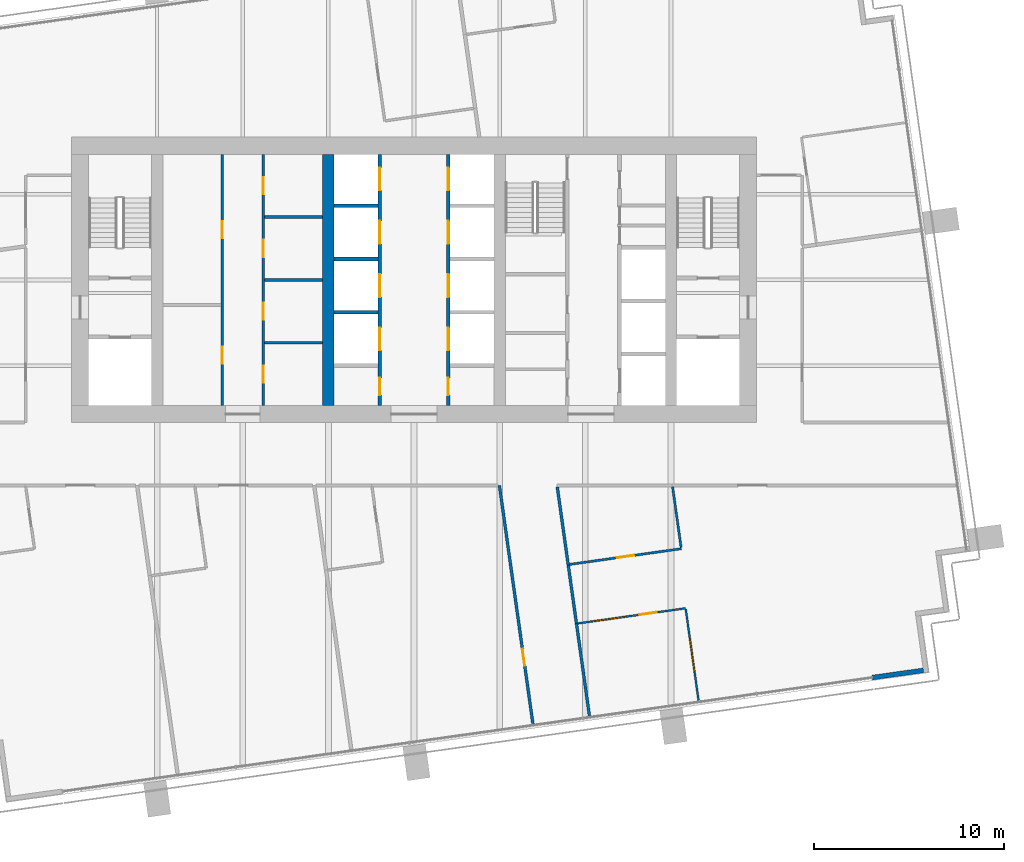
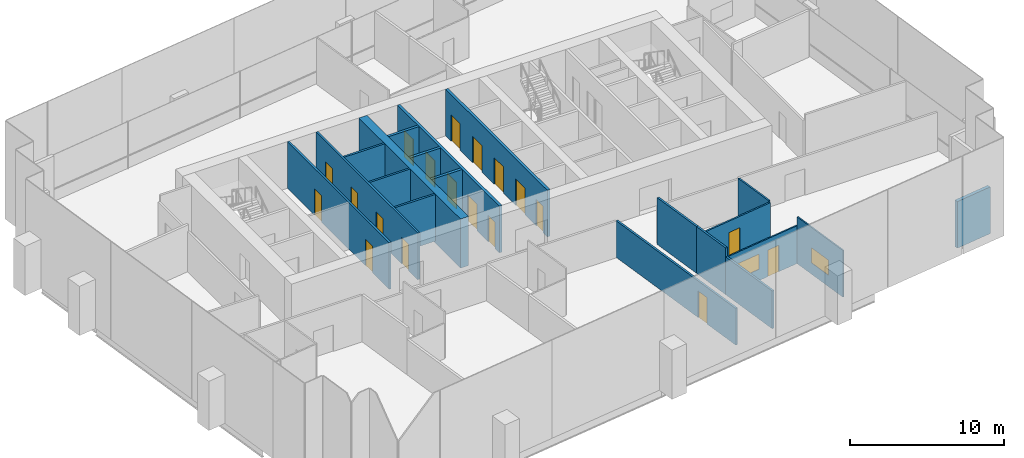
# One storey, part 10 of 17: 20 walls, 19 doors, 2 windows, 21 openings.
"""IFC4 building model written with IfcOpenShell, lengths in metres."""

from ifc_helpers import new_model, si_unit, direction, frame, frame_2d, origin, place, context, subcontext, project, spatial, rectangle, extrude, material, layer, layer_set, type_object, element, fill, save


model = new_model("IFC4")

# Units and contexts
model_context = context("Model", 3, precision=1e-05, world=origin(), true_north=direction((0.0, 1.0)))
body_context = subcontext(model_context, "Body", "Model", "MODEL_VIEW")
ifc_project = project(units=[si_unit("LENGTHUNIT", "METRE"), si_unit("AREAUNIT", "SQUARE_METRE"), si_unit("VOLUMEUNIT", "CUBIC_METRE"), si_unit("PLANEANGLEUNIT", "RADIAN"), si_unit("MASSUNIT", "GRAM", prefix="KILO")], contexts=[model_context])

# Site, building, storey
site_placement = place(None, origin())
site = spatial("IfcSite", under=ifc_project, at=site_placement, CompositionType="ELEMENT")
building_placement = place(site_placement, origin())
building = spatial("IfcBuilding", under=site, at=building_placement, Name="Rattan Terrace Tower", CompositionType="ELEMENT")
storey_placement = place(building_placement, frame((0.0, 0.0, 191.89990234375)))
storey = spatial("IfcBuildingStorey", under=building, at=storey_placement, Name="L44", CompositionType="ELEMENT", Elevation=191.89990234375)

# Wall, openings, doors
ifc_material_1 = material(Name="Gypsum board partition")
ifc_layer_1 = layer(ifc_material_1, 0.14990234375)
ifc_layer_set_1 = layer_set([ifc_layer_1], Name="Core partition 150")
wall_type_1 = type_object("IfcWallType", Name="Core partition 150", PredefinedType="PARTITIONING", material=ifc_layer_set_1)
wall_1_placement = place(storey_placement, frame((-10.074951171875, -6.60009765625, 0.0), z_axis=(0.0, 0.0, 1.0), x_axis=(0.0, 1.0, 0.0)))
wall_1 = element("IfcWall", 1, at=wall_1_placement, inside=storey, type_object=wall_type_1, Name="Core room wall", PredefinedType="PARTITIONING", context=body_context, shape_type="SweptSolid", body=[
    extrude(rectangle(XDim=13.2001953125, YDim=0.14990234375, at=frame_2d((6.60009765625, 0.0))), origin(), (0.0, 0.0, 1.0), 3.7001953125),
])
opening_1_placement = place(wall_1_placement, frame((2.18994140625, 0.0, 0.0)))
opening_1 = element("IfcOpeningElement", 2, at=opening_1_placement, cuts=wall_1, Name="Opening L44-D005", PredefinedType="OPENING", context=body_context, shape_type="SweptSolid", body=[
    extrude(rectangle(XDim=0.89990234375, YDim=2.10009765625, at=frame_2d((0.449951171875, 1.050048828125))), frame((0.0, 0.08544921875, 0.0), z_axis=(0.0, -1.0, 0.0), x_axis=(1.0, 0.0, 0.0)), (0.0, 0.0, 1.0), 0.1708984375),
])
opening_2_placement = place(wall_1_placement, frame((8.7900390625, 0.0, 0.0)))
opening_2 = element("IfcOpeningElement", 3, at=opening_2_placement, cuts=wall_1, Name="Opening L44-D006", PredefinedType="OPENING", context=body_context, shape_type="SweptSolid", body=[
    extrude(rectangle(XDim=0.89990234375, YDim=2.10009765625, at=frame_2d((0.449951171875, 1.050048828125))), frame((0.0, 0.08544921875, 0.0), z_axis=(0.0, -1.0, 0.0), x_axis=(1.0, 0.0, 0.0)), (0.0, 0.0, 1.0), 0.1708984375),
])
ifc_material_2 = material(Name="Hollow-metal fire door leaf")
door_type_1 = type_object("IfcDoorType", Name="Core service room door 900", OperationType="NOTDEFINED", PredefinedType="DOOR", material=ifc_material_2)
door_1_placement = place(opening_1_placement, origin())
door_1 = element("IfcDoor", 4, at=door_1_placement, inside=storey, type_object=door_type_1, Name="Door L44-D005", OperationType="SINGLE_SWING_LEFT", OverallHeight=2.10009765625, OverallWidth=0.89990234375, PredefinedType="DOOR", context=body_context, shape_type="SweptSolid", body=[
    extrude(rectangle(XDim=0.89990234375, YDim=2.10009765625, at=frame_2d((0.449951171875, 1.050048828125))), frame((0.0, 0.02490234375, 0.0), z_axis=(0.0, -1.0, 0.0), x_axis=(1.0, 0.0, 0.0)), (0.0, 0.0, 1.0), 0.050048828125),
])
fill(opening_1, door_1)
door_2_placement = place(opening_2_placement, origin())
door_2 = element("IfcDoor", 5, at=door_2_placement, inside=storey, type_object=door_type_1, Name="Door L44-D006", OperationType="SINGLE_SWING_RIGHT", OverallHeight=2.10009765625, OverallWidth=0.89990234375, PredefinedType="DOOR", context=body_context, shape_type="SweptSolid", body=[
    extrude(rectangle(XDim=0.89990234375, YDim=2.10009765625, at=frame_2d((0.449951171875, 1.050048828125))), frame((0.0, 0.02490234375, 0.0), z_axis=(0.0, -1.0, 0.0), x_axis=(1.0, 0.0, 0.0)), (0.0, 0.0, 1.0), 0.050048828125),
])
fill(opening_2, door_2)

wall_2_placement = place(storey_placement, frame((-7.925048828125, -6.60009765625, 0.0), z_axis=(0.0, 0.0, 1.0), x_axis=(0.0, 1.0, 0.0)))
wall_2 = element("IfcWall", 6, at=wall_2_placement, inside=storey, type_object=wall_type_1, Name="Core room wall", PredefinedType="PARTITIONING", context=body_context, shape_type="SweptSolid", body=[
    extrude(rectangle(XDim=13.2001953125, YDim=0.14990234375, at=frame_2d((6.60009765625, 0.0))), origin(), (0.0, 0.0, 1.0), 3.7001953125),
])
opening_3_placement = place(wall_2_placement, frame((1.199951171875, 0.0, 0.0)))
opening_3 = element("IfcOpeningElement", 7, at=opening_3_placement, cuts=wall_2, Name="Opening L44-D007", PredefinedType="OPENING", context=body_context, shape_type="SweptSolid", body=[
    extrude(rectangle(XDim=0.89990234375, YDim=2.10009765625, at=frame_2d((0.449951171875, 1.050048828125))), frame((0.0, 0.08544921875, 0.0), z_axis=(0.0, -1.0, 0.0), x_axis=(1.0, 0.0, 0.0)), (0.0, 0.0, 1.0), 0.1708984375),
])
opening_4_placement = place(wall_2_placement, frame((4.5, 0.0, 0.0)))
opening_4 = element("IfcOpeningElement", 8, at=opening_4_placement, cuts=wall_2, Name="Opening L44-D008", PredefinedType="OPENING", context=body_context, shape_type="SweptSolid", body=[
    extrude(rectangle(XDim=0.89990234375, YDim=2.10009765625, at=frame_2d((0.449951171875, 1.050048828125))), frame((0.0, 0.08544921875, 0.0), z_axis=(0.0, -1.0, 0.0), x_axis=(1.0, 0.0, 0.0)), (0.0, 0.0, 1.0), 0.1708984375),
])
opening_5_placement = place(wall_2_placement, frame((7.800048828125, 0.0, 0.0)))
opening_5 = element("IfcOpeningElement", 9, at=opening_5_placement, cuts=wall_2, Name="Opening L44-D009", PredefinedType="OPENING", context=body_context, shape_type="SweptSolid", body=[
    extrude(rectangle(XDim=0.89990234375, YDim=2.10009765625, at=frame_2d((0.449951171875, 1.050048828125))), frame((0.0, 0.08544921875, 0.0), z_axis=(0.0, -1.0, 0.0), x_axis=(1.0, 0.0, 0.0)), (0.0, 0.0, 1.0), 0.1708984375),
])
opening_6_placement = place(wall_2_placement, frame((11.10009765625, 0.0, 0.0)))
opening_6 = element("IfcOpeningElement", 10, at=opening_6_placement, cuts=wall_2, Name="Opening L44-D010", PredefinedType="OPENING", context=body_context, shape_type="SweptSolid", body=[
    extrude(rectangle(XDim=0.89990234375, YDim=2.10009765625, at=frame_2d((0.449951171875, 1.050048828125))), frame((0.0, 0.08544921875, 0.0), z_axis=(0.0, -1.0, 0.0), x_axis=(1.0, 0.0, 0.0)), (0.0, 0.0, 1.0), 0.1708984375),
])
door_3_placement = place(opening_3_placement, origin())
door_3 = element("IfcDoor", 11, at=door_3_placement, inside=storey, type_object=door_type_1, Name="Door L44-D007", OperationType="SINGLE_SWING_LEFT", OverallHeight=2.10009765625, OverallWidth=0.89990234375, PredefinedType="DOOR", context=body_context, shape_type="SweptSolid", body=[
    extrude(rectangle(XDim=0.89990234375, YDim=2.10009765625, at=frame_2d((0.449951171875, 1.050048828125))), frame((0.0, 0.02490234375, 0.0), z_axis=(0.0, -1.0, 0.0), x_axis=(1.0, 0.0, 0.0)), (0.0, 0.0, 1.0), 0.050048828125),
])
fill(opening_3, door_3)
door_4_placement = place(opening_4_placement, origin())
door_4 = element("IfcDoor", 12, at=door_4_placement, inside=storey, type_object=door_type_1, Name="Door L44-D008", OperationType="SINGLE_SWING_RIGHT", OverallHeight=2.10009765625, OverallWidth=0.89990234375, PredefinedType="DOOR", context=body_context, shape_type="SweptSolid", body=[
    extrude(rectangle(XDim=0.89990234375, YDim=2.10009765625, at=frame_2d((0.449951171875, 1.050048828125))), frame((0.0, 0.02490234375, 0.0), z_axis=(0.0, -1.0, 0.0), x_axis=(1.0, 0.0, 0.0)), (0.0, 0.0, 1.0), 0.050048828125),
])
fill(opening_4, door_4)
door_5_placement = place(opening_5_placement, origin())
door_5 = element("IfcDoor", 13, at=door_5_placement, inside=storey, type_object=door_type_1, Name="Door L44-D009", OperationType="SINGLE_SWING_LEFT", OverallHeight=2.10009765625, OverallWidth=0.89990234375, PredefinedType="DOOR", context=body_context, shape_type="SweptSolid", body=[
    extrude(rectangle(XDim=0.89990234375, YDim=2.10009765625, at=frame_2d((0.449951171875, 1.050048828125))), frame((0.0, 0.02490234375, 0.0), z_axis=(0.0, -1.0, 0.0), x_axis=(1.0, 0.0, 0.0)), (0.0, 0.0, 1.0), 0.050048828125),
])
fill(opening_5, door_5)
door_6_placement = place(opening_6_placement, origin())
door_6 = element("IfcDoor", 14, at=door_6_placement, inside=storey, type_object=door_type_1, Name="Door L44-D010", OperationType="SINGLE_SWING_RIGHT", OverallHeight=2.10009765625, OverallWidth=0.89990234375, PredefinedType="DOOR", context=body_context, shape_type="SweptSolid", body=[
    extrude(rectangle(XDim=0.89990234375, YDim=2.10009765625, at=frame_2d((0.449951171875, 1.050048828125))), frame((0.0, 0.02490234375, 0.0), z_axis=(0.0, -1.0, 0.0), x_axis=(1.0, 0.0, 0.0)), (0.0, 0.0, 1.0), 0.050048828125),
])
fill(opening_6, door_6)

# Walls
for number, where, z_axis, x_axis, name in (
    (15, (-7.85009765625, -3.300048828125, 0.0), (0.0, 0.0, 1.0), (1.0, 0.0, 0.0), "Core room wall"),
    (16, (-7.85009765625, 0.0, 0.0), (0.0, 0.0, 1.0), (1.0, 0.0, 0.0), "Core room wall"),
    (17, (-7.85009765625, 3.300048828125, 0.0), (0.0, 0.0, 1.0), (1.0, 0.0, 0.0), "Core room wall"),
):
    element("IfcWall", number, at=place(storey_placement, frame(where, z_axis=z_axis, x_axis=x_axis)), inside=storey, type_object=wall_type_1, Name=name, PredefinedType="PARTITIONING", context=body_context, shape_type="SweptSolid", body=[
        extrude(rectangle(XDim=3.050048828125, YDim=0.14990234375, at=frame_2d((1.52490234375, 0.0))), origin(), (0.0, 0.0, 1.0), 3.7001953125),
    ])
ifc_material_3 = material(Name="Concrete C60/75", Category="concrete")
ifc_layer_2 = layer(ifc_material_3, 0.60009765625)
ifc_layer_set_2 = layer_set([ifc_layer_2], Name="Core spine wall 600 C60/75")
wall_type_2 = type_object("IfcWallType", Name="Core spine wall 600 C60/75", PredefinedType="SHEAR", material=ifc_layer_set_2)
wall_3_placement = place(storey_placement, frame((-4.5, -6.60009765625, -0.199951171875), z_axis=(0.0, 0.0, 1.0), x_axis=(0.0, 1.0, 0.0)))
element("IfcWall", 18, at=wall_3_placement, inside=storey, type_object=wall_type_2, Name="Core spine wall 2", PredefinedType="SHEAR", context=body_context, shape_type="SweptSolid", body=[
    extrude(rectangle(XDim=13.2001953125, YDim=0.60009765625, at=frame_2d((6.60009765625, 0.0))), origin(), (0.0, 0.0, 1.0), 3.900146484375),
])
ifc_material_4 = material(Name="Insulated aluminium-clad stud wall", Category="aluminium")
ifc_layer_3 = layer(ifc_material_4, 0.25)
ifc_layer_set_3 = layer_set([ifc_layer_3], Name="Facade Riser Wall 250")
wall_type_3 = type_object("IfcWallType", Name="Facade Riser Wall 250", PredefinedType="SOLIDWALL", material=ifc_layer_set_3)
wall_4_placement = place(storey_placement, frame((24.08544921875, -20.892578125, 0.0), z_axis=(0.0, 0.0, 1.0), x_axis=(0.990255800966, 0.139260362823, 0.0)))
element("IfcWall", 19, at=wall_4_placement, inside=storey, type_object=wall_type_3, Name="Riser wall L44-1", PredefinedType="SOLIDWALL", context=body_context, shape_type="SweptSolid", body=[
    extrude(rectangle(XDim=2.705078125, YDim=0.25, at=frame_2d((1.3525390625, 0.0))), origin(), (0.0, 0.0, 1.0), 3.7001953125),
])

# Wall, openings, door, window
ifc_material_5 = material(Name="Gypsum board partition on steel studs", Category="steel")
ifc_layer_4 = layer(ifc_material_5, 0.10009765625)
ifc_layer_set_4 = layer_set([ifc_layer_4], Name="Floors Partition 100")
wall_type_4 = type_object("IfcWallType", Name="Floors Partition 100", PredefinedType="PARTITIONING", material=ifc_layer_set_4)
wall_5_placement = place(storey_placement, frame((14.26904296875, -17.2529296875, 0.0), z_axis=(0.0, 0.0, 1.0), x_axis=(-0.990248016247, -0.139315707364, 0.0)))
wall_5 = element("IfcWall", 20, at=wall_5_placement, inside=storey, type_object=wall_type_4, Name="pt-L44-034", PredefinedType="PARTITIONING", context=body_context, shape_type="SweptSolid", body=[
    extrude(rectangle(XDim=5.714599609375, YDim=0.10009765625, at=frame_2d((2.857421875, 0.0))), origin(), (0.0, 0.0, 1.0), 3.0),
])
opening_7_placement = place(wall_5_placement, frame((1.5439453125, 0.0, 0.0)))
opening_7 = element("IfcOpeningElement", 21, at=opening_7_placement, cuts=wall_5, Name="Opening L44-D108", PredefinedType="OPENING", context=body_context, shape_type="SweptSolid", body=[
    extrude(rectangle(XDim=0.89990234375, YDim=2.10009765625, at=frame_2d((0.449951171875, 1.050048828125))), frame((0.0, 0.060546875, 0.0), z_axis=(0.0, -1.0, 0.0), x_axis=(1.0, 0.0, 0.0)), (0.0, 0.0, 1.0), 0.12109375),
])
opening_8_placement = place(wall_5_placement, frame((3.179931640625, 0.0, 0.89990234375)))
opening_8 = element("IfcOpeningElement", 22, at=opening_8_placement, cuts=wall_5, Name="Opening L44-W100", PredefinedType="OPENING", context=body_context, shape_type="SweptSolid", body=[
    extrude(rectangle(XDim=1.800048828125, YDim=1.199951171875, at=frame_2d((0.89990234375, 0.60009765625))), frame((0.0, 0.060546875, 0.0), z_axis=(0.0, -1.0, 0.0), x_axis=(1.0, 0.0, 0.0)), (0.0, 0.0, 1.0), 0.12109375),
])
ifc_material_6 = material(Name="Solid core timber door, painted", Category="wood")
door_type_2 = type_object("IfcDoorType", Name="Floors Door 900x2100", OperationType="NOTDEFINED", PredefinedType="DOOR", material=ifc_material_6)
door_7_placement = place(opening_7_placement, origin())
door_7 = element("IfcDoor", 23, at=door_7_placement, inside=storey, type_object=door_type_2, Name="d-L44-108", OperationType="SINGLE_SWING_LEFT", OverallHeight=2.10009765625, OverallWidth=0.89990234375, PredefinedType="DOOR", context=body_context, shape_type="SweptSolid", body=[
    extrude(rectangle(XDim=0.89990234375, YDim=2.10009765625, at=frame_2d((0.449951171875, 1.050048828125))), frame((0.0, 0.02490234375, 0.0), z_axis=(0.0, -1.0, 0.0), x_axis=(1.0, 0.0, 0.0)), (0.0, 0.0, 1.0), 0.050048828125),
])
fill(opening_7, door_7)
ifc_material_7 = material(Name="Glass, clear, fixed in aluminium frame", Category="aluminium")
window_type = type_object("IfcWindowType", Name="Interior Vision Window 1800x1200", PartitioningType="SINGLE_PANEL", PredefinedType="WINDOW", material=ifc_material_7)
window_1_placement = place(opening_8_placement, origin())
window_1 = element("IfcWindow", 24, at=window_1_placement, inside=storey, type_object=window_type, Name="w-L44-100", OverallHeight=1.199951171875, OverallWidth=1.800048828125, PartitioningType="SINGLE_PANEL", PredefinedType="WINDOW", context=body_context, shape_type="SweptSolid", body=[
    extrude(rectangle(XDim=1.800048828125, YDim=1.199951171875, at=frame_2d((0.89990234375, 0.60009765625))), frame((0.0, 0.030029296875, 0.0), z_axis=(0.0, -1.0, 0.0), x_axis=(1.0, 0.0, 0.0)), (0.0, 0.0, 1.0), 0.06005859375),
])
fill(opening_8, window_1)

# Wall, opening, window
wall_6_placement = place(storey_placement, frame((14.947998046875, -22.0849609375, 0.0), z_axis=(0.0, 0.0, 1.0), x_axis=(-0.139184338849, 0.990266489294, 0.0)))
wall_6 = element("IfcWall", 25, at=wall_6_placement, inside=storey, type_object=wall_type_4, Name="pt-L44-035", PredefinedType="PARTITIONING", context=body_context, shape_type="SweptSolid", body=[
    extrude(rectangle(XDim=4.8291015625, YDim=0.10009765625, at=frame_2d((2.41455078125, 0.0))), origin(), (0.0, 0.0, 1.0), 3.7001953125),
])
opening_9_placement = place(wall_6_placement, frame((1.514892578125, 0.0, 0.89990234375)))
opening_9 = element("IfcOpeningElement", 26, at=opening_9_placement, cuts=wall_6, Name="Opening L44-W101", PredefinedType="OPENING", context=body_context, shape_type="SweptSolid", body=[
    extrude(rectangle(XDim=1.800048828125, YDim=1.199951171875, at=frame_2d((0.89990234375, 0.60009765625))), frame((0.0, 0.060546875, 0.0), z_axis=(0.0, -1.0, 0.0), x_axis=(1.0, 0.0, 0.0)), (0.0, 0.0, 1.0), 0.12109375),
])
window_2_placement = place(opening_9_placement, origin())
window_2 = element("IfcWindow", 27, at=window_2_placement, inside=storey, type_object=window_type, Name="w-L44-101", OverallHeight=1.199951171875, OverallWidth=1.800048828125, PartitioningType="SINGLE_PANEL", PredefinedType="WINDOW", context=body_context, shape_type="SweptSolid", body=[
    extrude(rectangle(XDim=1.800048828125, YDim=1.199951171875, at=frame_2d((0.89990234375, 0.60009765625))), frame((0.0, 0.030029296875, 0.0), z_axis=(0.0, -1.0, 0.0), x_axis=(1.0, 0.0, 0.0)), (0.0, 0.0, 1.0), 0.06005859375),
])
fill(opening_9, window_2)

# Wall, opening, door
ifc_material_8 = material(Name="Gypsum board partition on steel studs, fire rated", Category="steel")
ifc_layer_5 = layer(ifc_material_8, 0.14990234375)
ifc_layer_set_5 = layer_set([ifc_layer_5], Name="Floors Tenancy Wall 150")
wall_type_5 = type_object("IfcWallType", Name="Floors Tenancy Wall 150", PredefinedType="PARTITIONING", material=ifc_layer_set_5)
wall_7_placement = place(storey_placement, frame((6.242919921875, -23.31005859375, 0.0), z_axis=(0.0, 0.0, 1.0), x_axis=(-0.139145566137, 0.990271938118, 0.0)))
wall_7 = element("IfcWall", 28, at=wall_7_placement, inside=storey, type_object=wall_type_5, Name="pt-L44-007", PredefinedType="PARTITIONING", context=body_context, shape_type="SweptSolid", body=[
    extrude(rectangle(XDim=12.6328125, YDim=0.14990234375, at=frame_2d((6.31640625, 0.0))), origin(), (0.0, 0.0, 1.0), 2.900146484375),
])
opening_10_placement = place(wall_7_placement, frame((3.05810546875, 0.0, 0.0)))
opening_10 = element("IfcOpeningElement", 29, at=opening_10_placement, cuts=wall_7, Name="Opening L44-D105", PredefinedType="OPENING", context=body_context, shape_type="SweptSolid", body=[
    extrude(rectangle(XDim=0.89990234375, YDim=2.10009765625, at=frame_2d((0.449951171875, 1.050048828125))), frame((0.0, 0.08544921875, 0.0), z_axis=(0.0, -1.0, 0.0), x_axis=(1.0, 0.0, 0.0)), (0.0, 0.0, 1.0), 0.1708984375),
])
ifc_material_9 = material(Name="Steel fire door set", Category="steel")
door_type_3 = type_object("IfcDoorType", Name="Floors Fire Door FD30S 900x2100", OperationType="NOTDEFINED", PredefinedType="DOOR", material=ifc_material_9)
door_8_placement = place(opening_10_placement, origin())
door_8 = element("IfcDoor", 30, at=door_8_placement, inside=storey, type_object=door_type_3, Name="d-L44-105", OperationType="SINGLE_SWING_LEFT", OverallHeight=2.10009765625, OverallWidth=0.89990234375, PredefinedType="DOOR", context=body_context, shape_type="SweptSolid", body=[
    extrude(rectangle(XDim=0.89990234375, YDim=2.10009765625, at=frame_2d((0.449951171875, 1.050048828125))), frame((0.0, 0.02490234375, 0.0), z_axis=(0.0, -1.0, 0.0), x_axis=(1.0, 0.0, 0.0)), (0.0, 0.0, 1.0), 0.050048828125),
])
fill(opening_10, door_8)

# Walls
wall_8_placement = place(storey_placement, frame((8.10205078125, -14.97900390625, 0.0), z_axis=(0.0, 0.0, 1.0), x_axis=(0.139131354665, -0.990273934903, 0.0)))
element("IfcWall", 31, at=wall_8_placement, inside=storey, type_object=wall_type_5, Name="pt-L44-009", PredefinedType="PARTITIONING", context=body_context, shape_type="SweptSolid", body=[
    extrude(rectangle(XDim=3.090087890625, YDim=0.14990234375, at=frame_2d((1.544921875, 0.0))), origin(), (0.0, 0.0, 1.0), 3.7001953125),
])
wall_9_placement = place(storey_placement, frame((8.531982421875, -18.0390625, 0.0), z_axis=(0.0, 0.0, 1.0), x_axis=(0.139189187394, -0.990265807808, 0.0)))
element("IfcWall", 32, at=wall_9_placement, inside=storey, type_object=wall_type_5, Name="pt-L44-011", PredefinedType="PARTITIONING", context=body_context, shape_type="SweptSolid", body=[
    extrude(rectangle(XDim=4.900634765625, YDim=0.14990234375, at=frame_2d((2.4501953125, 0.0))), origin(), (0.0, 0.0, 1.0), 3.0),
])
wall_10_placement = place(storey_placement, frame((7.527099609375, -10.885009765625, 0.0), z_axis=(0.0, 0.0, 1.0), x_axis=(0.1390729581, -0.990282137739, 0.0)))
element("IfcWall", 33, at=wall_10_placement, inside=storey, type_object=wall_type_5, Name="pt-L44-012", PredefinedType="PARTITIONING", context=body_context, shape_type="SweptSolid", body=[
    extrude(rectangle(XDim=4.13427734375, YDim=0.14990234375, at=frame_2d((2.067138671875, 0.0))), origin(), (0.0, 0.0, 1.0), 3.7001953125),
])

# Wall, opening, door
ifc_material_10 = material(Name="Moisture resistant gypsum board partition on steel studs with service cavity", Category="steel")
ifc_layer_6 = layer(ifc_material_10, 0.1201171875)
ifc_layer_set_6 = layer_set([ifc_layer_6], Name="Floors Wet Wall 120")
wall_type_6 = type_object("IfcWallType", Name="Floors Wet Wall 120", PredefinedType="PARTITIONING", material=ifc_layer_set_6)
wall_11_placement = place(storey_placement, frame((8.174072265625, -14.948974609375, 0.0), z_axis=(0.0, 0.0, 1.0), x_axis=(0.990258620858, 0.139240309595, 0.0)))
wall_11 = element("IfcWall", 34, at=wall_11_placement, inside=storey, type_object=wall_type_6, Name="pt-L44-036", PredefinedType="PARTITIONING", context=body_context, shape_type="SweptSolid", body=[
    extrude(rectangle(XDim=5.924560546875, YDim=0.1201171875, at=frame_2d((2.96240234375, 0.0))), origin(), (0.0, 0.0, 1.0), 3.0),
])
opening_11_placement = place(wall_11_placement, frame((2.512939453125, 0.0, 0.0)))
opening_11 = element("IfcOpeningElement", 35, at=opening_11_placement, cuts=wall_11, Name="Opening L44-D109", PredefinedType="OPENING", context=body_context, shape_type="SweptSolid", body=[
    extrude(rectangle(XDim=0.89990234375, YDim=2.10009765625, at=frame_2d((0.449951171875, 1.050048828125))), frame((0.0, 0.070556640625, 0.0), z_axis=(0.0, -1.0, 0.0), x_axis=(1.0, 0.0, 0.0)), (0.0, 0.0, 1.0), 0.14111328125),
])
door_9_placement = place(opening_11_placement, origin())
door_9 = element("IfcDoor", 36, at=door_9_placement, inside=storey, type_object=door_type_2, Name="d-L44-109", OperationType="SINGLE_SWING_RIGHT", OverallHeight=2.10009765625, OverallWidth=0.89990234375, PredefinedType="DOOR", context=body_context, shape_type="SweptSolid", body=[
    extrude(rectangle(XDim=0.89990234375, YDim=2.10009765625, at=frame_2d((0.449951171875, 1.050048828125))), frame((0.0, 0.02490234375, 0.0), z_axis=(0.0, -1.0, 0.0), x_axis=(1.0, 0.0, 0.0)), (0.0, 0.0, 1.0), 0.050048828125),
])
fill(opening_11, door_9)

# Wall
wall_12_placement = place(storey_placement, frame((14.032958984375, -14.06494140625, 0.0), z_axis=(0.0, 0.0, 1.0), x_axis=(-0.139325487292, 0.990246640283, 0.0)))
element("IfcWall", 37, at=wall_12_placement, inside=storey, type_object=wall_type_6, Name="pt-L44-037", PredefinedType="PARTITIONING", context=body_context, shape_type="SweptSolid", body=[
    extrude(rectangle(XDim=3.2294921875, YDim=0.1201171875, at=frame_2d((1.61474609375, 0.0))), origin(), (0.0, 0.0, 1.0), 3.10009765625),
])

# Wall, openings, doors
ifc_material_11 = material(Name="Gypsum shaft wall system")
ifc_layer_7 = layer(ifc_material_11, 0.199951171875)
ifc_layer_set_7 = layer_set([ifc_layer_7], Name="Lift shaft wall 200")
wall_type_7 = type_object("IfcWallType", Name="Lift shaft wall 200", PredefinedType="PARTITIONING", material=ifc_layer_set_7)
wall_13_placement = place(storey_placement, frame((-1.800048828125, -6.60009765625, 0.0), z_axis=(0.0, 0.0, 1.0), x_axis=(0.0, 1.0, 0.0)))
wall_13 = element("IfcWall", 38, at=wall_13_placement, inside=storey, type_object=wall_type_7, Name="Lift shaft front wall", PredefinedType="PARTITIONING", context=body_context, shape_type="SweptSolid", body=[
    extrude(rectangle(XDim=13.2001953125, YDim=0.199951171875, at=frame_2d((6.60009765625, 0.0))), origin(), (0.0, 0.0, 1.0), 3.7001953125),
])
opening_12_placement = place(wall_13_placement, frame((0.550048828125, 0.0, 0.0)))
opening_12 = element("IfcOpeningElement", 39, at=opening_12_placement, cuts=wall_13, Name="Opening L44-D012", PredefinedType="OPENING", context=body_context, shape_type="SweptSolid", body=[
    extrude(rectangle(XDim=0.89990234375, YDim=2.10009765625, at=frame_2d((0.449951171875, 1.050048828125))), frame((0.0, 0.110595703125, 0.0), z_axis=(0.0, -1.0, 0.0), x_axis=(1.0, 0.0, 0.0)), (0.0, 0.0, 1.0), 0.220947265625),
])
opening_13_placement = place(wall_13_placement, frame((2.89990234375, 0.0, 0.0)))
opening_13 = element("IfcOpeningElement", 40, at=opening_13_placement, cuts=wall_13, Name="Opening L44-LD-HR1", PredefinedType="OPENING", context=body_context, shape_type="SweptSolid", body=[
    extrude(rectangle(XDim=1.199951171875, YDim=2.10009765625, at=frame_2d((0.60009765625, 1.050048828125))), frame((0.0, 0.110595703125, 0.0), z_axis=(0.0, -1.0, 0.0), x_axis=(1.0, 0.0, 0.0)), (0.0, 0.0, 1.0), 0.220947265625),
])
opening_14_placement = place(wall_13_placement, frame((5.699951171875, 0.0, 0.0)))
opening_14 = element("IfcOpeningElement", 41, at=opening_14_placement, cuts=wall_13, Name="Opening L44-LD-HR2", PredefinedType="OPENING", context=body_context, shape_type="SweptSolid", body=[
    extrude(rectangle(XDim=1.199951171875, YDim=2.10009765625, at=frame_2d((0.60009765625, 1.050048828125))), frame((0.0, 0.110595703125, 0.0), z_axis=(0.0, -1.0, 0.0), x_axis=(1.0, 0.0, 0.0)), (0.0, 0.0, 1.0), 0.220947265625),
])
opening_15_placement = place(wall_13_placement, frame((8.5, 0.0, 0.0)))
opening_15 = element("IfcOpeningElement", 42, at=opening_15_placement, cuts=wall_13, Name="Opening L44-LD-HR3", PredefinedType="OPENING", context=body_context, shape_type="SweptSolid", body=[
    extrude(rectangle(XDim=1.199951171875, YDim=2.10009765625, at=frame_2d((0.60009765625, 1.050048828125))), frame((0.0, 0.110595703125, 0.0), z_axis=(0.0, -1.0, 0.0), x_axis=(1.0, 0.0, 0.0)), (0.0, 0.0, 1.0), 0.220947265625),
])
opening_16_placement = place(wall_13_placement, frame((11.300048828125, 0.0, 0.0)))
opening_16 = element("IfcOpeningElement", 43, at=opening_16_placement, cuts=wall_13, Name="Opening L44-LD-HR4", PredefinedType="OPENING", context=body_context, shape_type="SweptSolid", body=[
    extrude(rectangle(XDim=1.199951171875, YDim=2.10009765625, at=frame_2d((0.60009765625, 1.050048828125))), frame((0.0, 0.110595703125, 0.0), z_axis=(0.0, -1.0, 0.0), x_axis=(1.0, 0.0, 0.0)), (0.0, 0.0, 1.0), 0.220947265625),
])
ifc_material_12 = material(Name="Brushed stainless landing door panel")
door_type_4 = type_object("IfcDoorType", Name="Core lift landing door 1200", OperationType="DOUBLE_DOOR_SLIDING", PredefinedType="DOOR", material=ifc_material_12)
door_10_placement = place(opening_13_placement, origin())
door_10 = element("IfcDoor", 44, at=door_10_placement, inside=storey, type_object=door_type_4, Name="Door L44-LD-HR1", OperationType="DOUBLE_DOOR_SLIDING", OverallHeight=2.10009765625, OverallWidth=1.199951171875, PredefinedType="DOOR", context=body_context, shape_type="SweptSolid", body=[
    extrude(rectangle(XDim=1.199951171875, YDim=2.10009765625, at=frame_2d((0.60009765625, 1.050048828125))), frame((0.0, 0.02490234375, 0.0), z_axis=(0.0, -1.0, 0.0), x_axis=(1.0, 0.0, 0.0)), (0.0, 0.0, 1.0), 0.050048828125),
])
fill(opening_13, door_10)
door_11_placement = place(opening_14_placement, origin())
door_11 = element("IfcDoor", 45, at=door_11_placement, inside=storey, type_object=door_type_4, Name="Door L44-LD-HR2", OperationType="DOUBLE_DOOR_SLIDING", OverallHeight=2.10009765625, OverallWidth=1.199951171875, PredefinedType="DOOR", context=body_context, shape_type="SweptSolid", body=[
    extrude(rectangle(XDim=1.199951171875, YDim=2.10009765625, at=frame_2d((0.60009765625, 1.050048828125))), frame((0.0, 0.02490234375, 0.0), z_axis=(0.0, -1.0, 0.0), x_axis=(1.0, 0.0, 0.0)), (0.0, 0.0, 1.0), 0.050048828125),
])
fill(opening_14, door_11)
door_12_placement = place(opening_15_placement, origin())
door_12 = element("IfcDoor", 46, at=door_12_placement, inside=storey, type_object=door_type_4, Name="Door L44-LD-HR3", OperationType="DOUBLE_DOOR_SLIDING", OverallHeight=2.10009765625, OverallWidth=1.199951171875, PredefinedType="DOOR", context=body_context, shape_type="SweptSolid", body=[
    extrude(rectangle(XDim=1.199951171875, YDim=2.10009765625, at=frame_2d((0.60009765625, 1.050048828125))), frame((0.0, 0.02490234375, 0.0), z_axis=(0.0, -1.0, 0.0), x_axis=(1.0, 0.0, 0.0)), (0.0, 0.0, 1.0), 0.050048828125),
])
fill(opening_15, door_12)
door_13_placement = place(opening_16_placement, origin())
door_13 = element("IfcDoor", 47, at=door_13_placement, inside=storey, type_object=door_type_4, Name="Door L44-LD-HR4", OperationType="DOUBLE_DOOR_SLIDING", OverallHeight=2.10009765625, OverallWidth=1.199951171875, PredefinedType="DOOR", context=body_context, shape_type="SweptSolid", body=[
    extrude(rectangle(XDim=1.199951171875, YDim=2.10009765625, at=frame_2d((0.60009765625, 1.050048828125))), frame((0.0, 0.02490234375, 0.0), z_axis=(0.0, -1.0, 0.0), x_axis=(1.0, 0.0, 0.0)), (0.0, 0.0, 1.0), 0.050048828125),
])
fill(opening_16, door_13)
ifc_material_13 = material(Name="Hollow-metal fire door leaf")
door_type_5 = type_object("IfcDoorType", Name="Core riser door 900", OperationType="NOTDEFINED", PredefinedType="DOOR", material=ifc_material_13)
door_14_placement = place(opening_12_placement, origin())
door_14 = element("IfcDoor", 48, at=door_14_placement, inside=storey, type_object=door_type_5, Name="Door L44-D012", OperationType="SINGLE_SWING_RIGHT", OverallHeight=2.10009765625, OverallWidth=0.89990234375, PredefinedType="DOOR", context=body_context, shape_type="SweptSolid", body=[
    extrude(rectangle(XDim=0.89990234375, YDim=2.10009765625, at=frame_2d((0.449951171875, 1.050048828125))), frame((0.0, 0.02490234375, 0.0), z_axis=(0.0, -1.0, 0.0), x_axis=(1.0, 0.0, 0.0)), (0.0, 0.0, 1.0), 0.050048828125),
])
fill(opening_12, door_14)

wall_14_placement = place(storey_placement, frame((1.800048828125, -6.60009765625, 0.0), z_axis=(0.0, 0.0, 1.0), x_axis=(0.0, 1.0, 0.0)))
wall_14 = element("IfcWall", 49, at=wall_14_placement, inside=storey, type_object=wall_type_7, Name="Lift shaft front wall", PredefinedType="PARTITIONING", context=body_context, shape_type="SweptSolid", body=[
    extrude(rectangle(XDim=13.2001953125, YDim=0.199951171875, at=frame_2d((6.60009765625, 0.0))), origin(), (0.0, 0.0, 1.0), 3.7001953125),
])
opening_17_placement = place(wall_14_placement, frame((0.550048828125, 0.0, 0.0)))
opening_17 = element("IfcOpeningElement", 50, at=opening_17_placement, cuts=wall_14, Name="Opening L44-D013", PredefinedType="OPENING", context=body_context, shape_type="SweptSolid", body=[
    extrude(rectangle(XDim=0.89990234375, YDim=2.10009765625, at=frame_2d((0.449951171875, 1.050048828125))), frame((0.0, 0.110595703125, 0.0), z_axis=(0.0, -1.0, 0.0), x_axis=(1.0, 0.0, 0.0)), (0.0, 0.0, 1.0), 0.220947265625),
])
opening_18_placement = place(wall_14_placement, frame((2.89990234375, 0.0, 0.0)))
opening_18 = element("IfcOpeningElement", 51, at=opening_18_placement, cuts=wall_14, Name="Opening L44-LD-HR5", PredefinedType="OPENING", context=body_context, shape_type="SweptSolid", body=[
    extrude(rectangle(XDim=1.199951171875, YDim=2.10009765625, at=frame_2d((0.60009765625, 1.050048828125))), frame((0.0, 0.110595703125, 0.0), z_axis=(0.0, -1.0, 0.0), x_axis=(1.0, 0.0, 0.0)), (0.0, 0.0, 1.0), 0.220947265625),
])
opening_19_placement = place(wall_14_placement, frame((5.699951171875, 0.0, 0.0)))
opening_19 = element("IfcOpeningElement", 52, at=opening_19_placement, cuts=wall_14, Name="Opening L44-LD-HR6", PredefinedType="OPENING", context=body_context, shape_type="SweptSolid", body=[
    extrude(rectangle(XDim=1.199951171875, YDim=2.10009765625, at=frame_2d((0.60009765625, 1.050048828125))), frame((0.0, 0.110595703125, 0.0), z_axis=(0.0, -1.0, 0.0), x_axis=(1.0, 0.0, 0.0)), (0.0, 0.0, 1.0), 0.220947265625),
])
opening_20_placement = place(wall_14_placement, frame((8.5, 0.0, 0.0)))
opening_20 = element("IfcOpeningElement", 53, at=opening_20_placement, cuts=wall_14, Name="Opening L44-LD-HR7", PredefinedType="OPENING", context=body_context, shape_type="SweptSolid", body=[
    extrude(rectangle(XDim=1.199951171875, YDim=2.10009765625, at=frame_2d((0.60009765625, 1.050048828125))), frame((0.0, 0.110595703125, 0.0), z_axis=(0.0, -1.0, 0.0), x_axis=(1.0, 0.0, 0.0)), (0.0, 0.0, 1.0), 0.220947265625),
])
opening_21_placement = place(wall_14_placement, frame((11.300048828125, 0.0, 0.0)))
opening_21 = element("IfcOpeningElement", 54, at=opening_21_placement, cuts=wall_14, Name="Opening L44-LD-HR8", PredefinedType="OPENING", context=body_context, shape_type="SweptSolid", body=[
    extrude(rectangle(XDim=1.199951171875, YDim=2.10009765625, at=frame_2d((0.60009765625, 1.050048828125))), frame((0.0, 0.110595703125, 0.0), z_axis=(0.0, -1.0, 0.0), x_axis=(1.0, 0.0, 0.0)), (0.0, 0.0, 1.0), 0.220947265625),
])
door_15_placement = place(opening_18_placement, origin())
door_15 = element("IfcDoor", 55, at=door_15_placement, inside=storey, type_object=door_type_4, Name="Door L44-LD-HR5", OperationType="DOUBLE_DOOR_SLIDING", OverallHeight=2.10009765625, OverallWidth=1.199951171875, PredefinedType="DOOR", context=body_context, shape_type="SweptSolid", body=[
    extrude(rectangle(XDim=1.199951171875, YDim=2.10009765625, at=frame_2d((0.60009765625, 1.050048828125))), frame((0.0, 0.02490234375, 0.0), z_axis=(0.0, -1.0, 0.0), x_axis=(1.0, 0.0, 0.0)), (0.0, 0.0, 1.0), 0.050048828125),
])
fill(opening_18, door_15)
door_16_placement = place(opening_19_placement, origin())
door_16 = element("IfcDoor", 56, at=door_16_placement, inside=storey, type_object=door_type_4, Name="Door L44-LD-HR6", OperationType="DOUBLE_DOOR_SLIDING", OverallHeight=2.10009765625, OverallWidth=1.199951171875, PredefinedType="DOOR", context=body_context, shape_type="SweptSolid", body=[
    extrude(rectangle(XDim=1.199951171875, YDim=2.10009765625, at=frame_2d((0.60009765625, 1.050048828125))), frame((0.0, 0.02490234375, 0.0), z_axis=(0.0, -1.0, 0.0), x_axis=(1.0, 0.0, 0.0)), (0.0, 0.0, 1.0), 0.050048828125),
])
fill(opening_19, door_16)
door_17_placement = place(opening_20_placement, origin())
door_17 = element("IfcDoor", 57, at=door_17_placement, inside=storey, type_object=door_type_4, Name="Door L44-LD-HR7", OperationType="DOUBLE_DOOR_SLIDING", OverallHeight=2.10009765625, OverallWidth=1.199951171875, PredefinedType="DOOR", context=body_context, shape_type="SweptSolid", body=[
    extrude(rectangle(XDim=1.199951171875, YDim=2.10009765625, at=frame_2d((0.60009765625, 1.050048828125))), frame((0.0, 0.02490234375, 0.0), z_axis=(0.0, -1.0, 0.0), x_axis=(1.0, 0.0, 0.0)), (0.0, 0.0, 1.0), 0.050048828125),
])
fill(opening_20, door_17)
door_18_placement = place(opening_21_placement, origin())
door_18 = element("IfcDoor", 58, at=door_18_placement, inside=storey, type_object=door_type_4, Name="Door L44-LD-HR8", OperationType="DOUBLE_DOOR_SLIDING", OverallHeight=2.10009765625, OverallWidth=1.199951171875, PredefinedType="DOOR", context=body_context, shape_type="SweptSolid", body=[
    extrude(rectangle(XDim=1.199951171875, YDim=2.10009765625, at=frame_2d((0.60009765625, 1.050048828125))), frame((0.0, 0.02490234375, 0.0), z_axis=(0.0, -1.0, 0.0), x_axis=(1.0, 0.0, 0.0)), (0.0, 0.0, 1.0), 0.050048828125),
])
fill(opening_21, door_18)
door_19_placement = place(opening_17_placement, origin())
door_19 = element("IfcDoor", 59, at=door_19_placement, inside=storey, type_object=door_type_5, Name="Door L44-D013", OperationType="SINGLE_SWING_LEFT", OverallHeight=2.10009765625, OverallWidth=0.89990234375, PredefinedType="DOOR", context=body_context, shape_type="SweptSolid", body=[
    extrude(rectangle(XDim=0.89990234375, YDim=2.10009765625, at=frame_2d((0.449951171875, 1.050048828125))), frame((0.0, 0.02490234375, 0.0), z_axis=(0.0, -1.0, 0.0), x_axis=(1.0, 0.0, 0.0)), (0.0, 0.0, 1.0), 0.050048828125),
])
fill(opening_17, door_19)

# Walls
for number, where, z_axis, x_axis, name in (
    (60, (-4.199951171875, -1.699951171875, 0.0), (0.0, 0.0, 1.0), (1.0, 0.0, 0.0), "Lift shaft wall"),
    (61, (-4.199951171875, 1.10009765625, 0.0), (0.0, 0.0, 1.0), (1.0, 0.0, 0.0), "Lift shaft wall"),
    (62, (-4.199951171875, 3.89990234375, 0.0), (0.0, 0.0, 1.0), (1.0, 0.0, 0.0), "Lift shaft wall"),
):
    element("IfcWall", number, at=place(storey_placement, frame(where, z_axis=z_axis, x_axis=x_axis)), inside=storey, type_object=wall_type_7, Name=name, PredefinedType="PARTITIONING", context=body_context, shape_type="SweptSolid", body=[
        extrude(rectangle(XDim=2.300048828125, YDim=0.199951171875, at=frame_2d((1.14990234375, 0.0))), origin(), (0.0, 0.0, 1.0), 3.7001953125),
    ])

save(model, "model.ifc")
